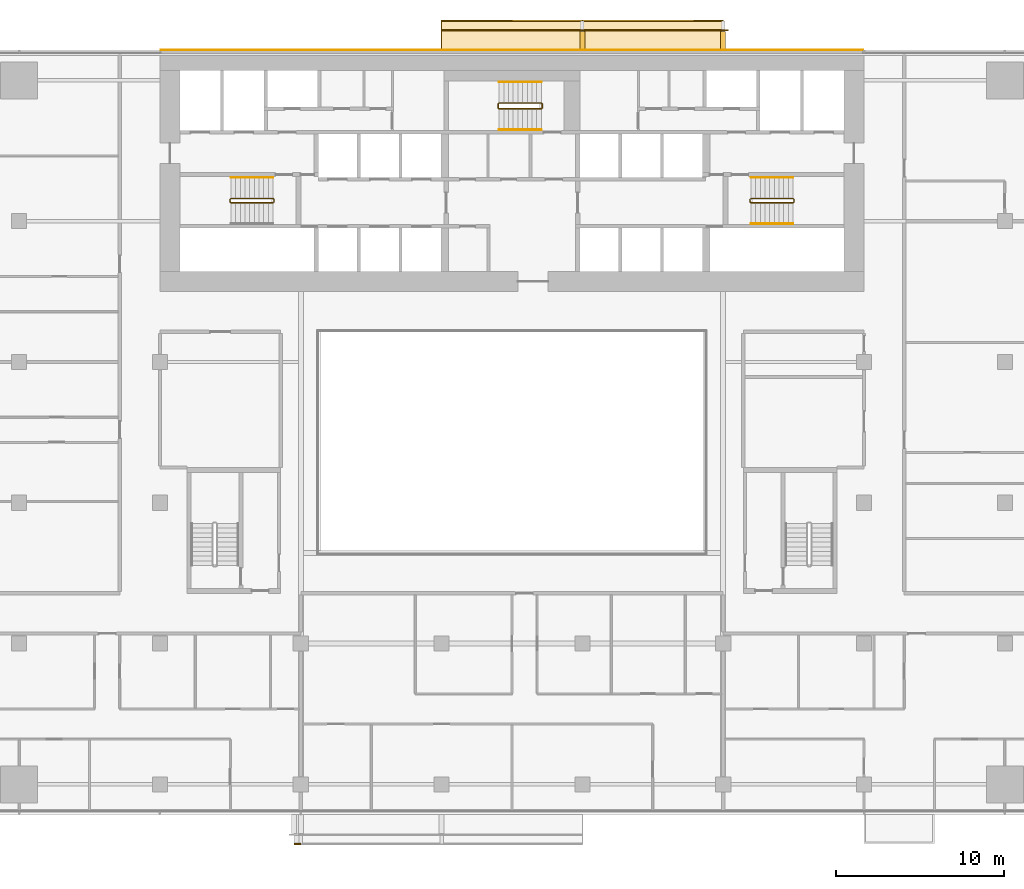
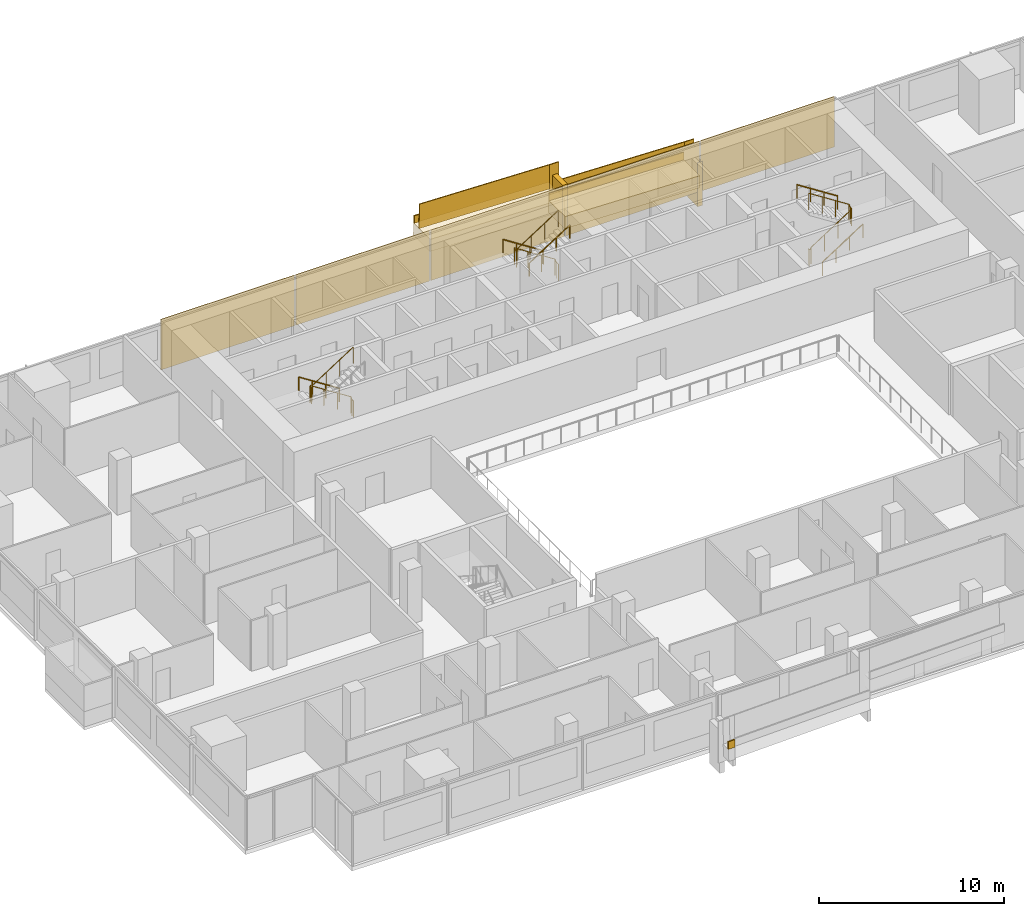
# One storey, part 26 of 26: 12 coverings, 12 railings.
"""IFC4 building model written with IfcOpenShell, lengths in metres."""

from ifc_helpers import new_model, si_unit, direction, frame, origin, origin_2d, place, context, subcontext, project, spatial, polyline, rectangle, circle, outline, extrude, material, layer, layer_set, type_object, element, save


model = new_model("IFC4")

# Units and contexts
model_context = context("Model", 3, precision=1e-05, world=origin(), true_north=direction((0.0, 1.0)))
body_context = subcontext(model_context, "Body", "Model", "MODEL_VIEW")
ifc_project = project(units=[si_unit("LENGTHUNIT", "METRE"), si_unit("AREAUNIT", "SQUARE_METRE"), si_unit("VOLUMEUNIT", "CUBIC_METRE"), si_unit("PLANEANGLEUNIT", "RADIAN"), si_unit("MASSUNIT", "GRAM", prefix="KILO")], contexts=[model_context])

# Site, building, storey
site_placement = place(None, origin())
site = spatial("IfcSite", under=ifc_project, at=site_placement, CompositionType="ELEMENT")
building_placement = place(site_placement, origin())
building = spatial("IfcBuilding", under=site, at=building_placement, Name="Saffron Gate Tower", CompositionType="ELEMENT")
storey_placement = place(building_placement, frame((0.0, 0.0, 62.39990234375)))
storey = spatial("IfcBuildingStorey", under=building, at=storey_placement, Name="L14", CompositionType="ELEMENT", Elevation=62.39990234375)

# Coverings
ifc_material_1 = material(Name="Ceramic-printed bronze insulated panel")
ifc_layer_1 = layer(ifc_material_1, 0.0400390625)
ifc_layer_set_1 = layer_set([ifc_layer_1], Name="CLD1 ceramic-printed cladding panel 40")
covering_type_1 = type_object("IfcCoveringType", Name="CLD1 ceramic-printed cladding panel 40", PredefinedType="CLADDING", material=ifc_layer_set_1)
covering_1_placement = place(storey_placement, origin())
element("IfcCovering", 1, at=covering_1_placement, inside=storey, type_object=covering_type_1, Name="CLADDING ceramic-printed panel", PredefinedType="CLADDING", context=body_context, shape_type="SweptSolid", body=[
    extrude(outline(polyline([(108.56494140625, 75.639892578125), (100.235107421875, 75.639892578125), (100.235107421875, 75.60009765625), (108.56494140625, 75.60009765625), (108.56494140625, 75.639892578125)])), origin(), (0.0, 0.0, 1.0), 3.320068359375),
])
covering_2_placement = place(storey_placement, origin())
element("IfcCovering", 2, at=covering_2_placement, inside=storey, type_object=covering_type_1, Name="CLADDING ceramic-printed panel", PredefinedType="CLADDING", context=body_context, shape_type="SweptSolid", body=[
    extrude(outline(polyline([(100.1650390625, 75.639892578125), (91.8349609375, 75.639892578125), (91.8349609375, 75.60009765625), (100.1650390625, 75.60009765625), (100.1650390625, 75.639892578125)])), origin(), (0.0, 0.0, 1.0), 3.320068359375),
])
covering_3_placement = place(storey_placement, origin())
element("IfcCovering", 3, at=covering_3_placement, inside=storey, type_object=covering_type_1, Name="CLADDING ceramic-printed panel", PredefinedType="CLADDING", context=body_context, shape_type="SweptSolid", body=[
    extrude(outline(polyline([(91.764892578125, 75.639892578125), (83.43505859375, 75.639892578125), (83.43505859375, 75.60009765625), (91.764892578125, 75.60009765625), (91.764892578125, 75.639892578125)])), origin(), (0.0, 0.0, 1.0), 3.320068359375),
])
covering_4_placement = place(storey_placement, origin())
element("IfcCovering", 4, at=covering_4_placement, inside=storey, type_object=covering_type_1, Name="CLADDING ceramic-printed panel", PredefinedType="CLADDING", context=body_context, shape_type="SweptSolid", body=[
    extrude(outline(polyline([(83.364990234375, 75.639892578125), (75.034912109375, 75.639892578125), (75.034912109375, 75.60009765625), (83.364990234375, 75.60009765625), (83.364990234375, 75.639892578125)])), origin(), (0.0, 0.0, 1.0), 3.320068359375),
])
covering_5_placement = place(storey_placement, origin())
element("IfcCovering", 5, at=covering_5_placement, inside=storey, type_object=covering_type_1, Name="CLADDING ceramic-printed panel", PredefinedType="CLADDING", context=body_context, shape_type="SweptSolid", body=[
    extrude(outline(polyline([(74.965087890625, 75.639892578125), (66.635009765625, 75.639892578125), (66.635009765625, 75.60009765625), (74.965087890625, 75.60009765625), (74.965087890625, 75.639892578125)])), origin(), (0.0, 0.0, 1.0), 3.320068359375),
])

# Railings
ifc_material_2 = material(Name="Stainless steel and laminated glass", Category="steel")
railing_type_1 = type_object("IfcRailingType", Name="CR1 Stair guard 1100", PredefinedType="GUARDRAIL", material=ifc_material_2)
railing_1_placement = place(storey_placement, frame((73.39990234375, 66.550048828125, 0.0)))
element("IfcRailing", 6, at=railing_1_placement, inside=storey, type_object=railing_type_1, Name="L14 ST-A stair guard 1", PredefinedType="GUARDRAIL", context=body_context, shape_type="SweptSolid", body=[
    extrude(circle(Radius=0.02392578125, at=origin_2d()), frame((0.0, 0.0, 1.076171875), z_axis=(0.0, 1.0, 0.0), x_axis=(-1.0, 0.0, 0.0)), (0.0, 0.0, 1.0), 0.14990234375),
    extrude(circle(Radius=0.02392578125, at=origin_2d()), frame((0.0, 0.14990234375, 1.076171875), z_axis=(-0.257366384619, 0.258627984543, 0.931060744355), x_axis=(-0.708833529934, -0.705375805398, 0.0)), (0.0, 0.0, 1.0), 0.193603515625),
    extrude(circle(Radius=0.02392578125, at=origin_2d()), frame((-0.0498046875, 0.199951171875, 1.25634765625), z_axis=(-0.841199657755, 0.0, 0.540724639528), x_axis=(0.0, -1.0, 0.0)), (0.0, 0.0, 1.0), 2.995849609375),
    extrude(circle(Radius=0.02392578125, at=origin_2d()), frame((-2.56982421875, 0.199951171875, 2.8759765625), z_axis=(-0.707106781187, -0.707106781187, 0.0), x_axis=(0.707106781187, -0.707106781187, 0.0)), (0.0, 0.0, 1.0), 0.07080078125),
    extrude(circle(Radius=0.02392578125, at=origin_2d()), frame((-2.619873046875, 0.14990234375, 2.8759765625), z_axis=(0.0, -1.0, 0.0), x_axis=(1.0, 0.0, 0.0)), (0.0, 0.0, 1.0), 0.14990234375),
    extrude(circle(Radius=0.02392578125, at=origin_2d()), frame((-2.619873046875, 0.0, 2.8759765625), z_axis=(0.258847668887, -0.258847668887, 0.930588936439), x_axis=(0.707106781187, 0.707106781187, 0.0)), (0.0, 0.0, 1.0), 0.193359375),
    extrude(circle(Radius=0.02392578125, at=origin_2d()), frame((-2.56982421875, -0.050048828125, 3.05615234375), z_axis=(0.841162588446, 0.0, 0.540782303519), x_axis=(0.0, 1.0, 0.0)), (0.0, 0.0, 1.0), 2.995849609375),
    extrude(circle(Radius=0.02099609375, at=origin_2d()), origin(), (0.0, 0.0, 1.0), 1.052001953125),
    extrude(circle(Radius=0.02099609375, at=origin_2d()), frame((0.0, 0.14990234375, 0.0)), (0.0, 0.0, 1.0), 1.052001953125),
    extrude(circle(Radius=0.02099609375, at=origin_2d()), frame((-0.0498046875, 0.199951171875, 0.18017578125)), (0.0, 0.0, 1.0), 1.052001953125),
    extrude(circle(Radius=0.02099609375, at=origin_2d()), frame((-0.889892578125, 0.199951171875, 0.72021484375)), (0.0, 0.0, 1.0), 1.052001953125),
    extrude(circle(Radius=0.02099609375, at=origin_2d()), frame((-1.729736328125, 0.199951171875, 1.260009765625)), (0.0, 0.0, 1.0), 1.052001953125),
    extrude(circle(Radius=0.02099609375, at=origin_2d()), frame((-2.56982421875, 0.199951171875, 1.800048828125)), (0.0, 0.0, 1.0), 1.052001953125),
    extrude(circle(Radius=0.02099609375, at=origin_2d()), frame((-2.619873046875, 0.14990234375, 1.800048828125)), (0.0, 0.0, 1.0), 1.052001953125),
    extrude(circle(Radius=0.02099609375, at=origin_2d()), frame((-2.619873046875, 0.0, 1.800048828125)), (0.0, 0.0, 1.0), 1.052001953125),
    extrude(circle(Radius=0.02099609375, at=origin_2d()), frame((-2.56982421875, -0.050048828125, 1.97998046875)), (0.0, 0.0, 1.0), 1.052001953125),
    extrude(circle(Radius=0.02099609375, at=origin_2d()), frame((-1.729736328125, -0.050048828125, 2.52001953125)), (0.0, 0.0, 1.0), 1.052001953125),
    extrude(circle(Radius=0.02099609375, at=origin_2d()), frame((-0.889892578125, -0.050048828125, 3.06005859375)), (0.0, 0.0, 1.0), 1.052001953125),
    extrude(circle(Radius=0.02099609375, at=origin_2d()), frame((-0.0498046875, -0.050048828125, 3.60009765625)), (0.0, 0.0, 1.0), 1.052001953125),
])
railing_2_placement = place(storey_placement, frame((101.800048828125, 66.699951171875, 0.0)))
element("IfcRailing", 7, at=railing_2_placement, inside=storey, type_object=railing_type_1, Name="L14 ST-B stair guard 1", PredefinedType="GUARDRAIL", context=body_context, shape_type="SweptSolid", body=[
    extrude(circle(Radius=0.02392578125, at=origin_2d()), frame((0.0, 0.0, 1.076171875), z_axis=(0.0, -1.0, 0.0), x_axis=(1.0, 0.0, 0.0)), (0.0, 0.0, 1.0), 0.14990234375),
    extrude(circle(Radius=0.02392578125, at=origin_2d()), frame((0.0, -0.14990234375, 1.076171875), z_axis=(0.258543844998, -0.258543844998, 0.930757841991), x_axis=(0.707106781187, 0.707106781187, 0.0)), (0.0, 0.0, 1.0), 0.193603515625),
    extrude(circle(Radius=0.02392578125, at=origin_2d()), frame((0.050048828125, -0.199951171875, 1.25634765625), z_axis=(0.841199657755, 0.0, 0.540724639528), x_axis=(0.0, 1.0, 0.0)), (0.0, 0.0, 1.0), 2.995849609375),
    extrude(circle(Radius=0.02392578125, at=origin_2d()), frame((2.570068359375, -0.199951171875, 2.8759765625), z_axis=(0.705375805398, 0.708833529934, 0.0), x_axis=(-0.708833529934, 0.705375805398, 0.0)), (0.0, 0.0, 1.0), 0.070556640625),
    extrude(circle(Radius=0.02392578125, at=origin_2d()), frame((2.619873046875, -0.14990234375, 2.8759765625), z_axis=(0.0, 1.0, 0.0), x_axis=(-1.0, 0.0, 0.0)), (0.0, 0.0, 1.0), 0.14990234375),
    extrude(circle(Radius=0.02392578125, at=origin_2d()), frame((2.619873046875, 0.0, 2.8759765625), z_axis=(-0.257669022063, 0.258932105505, 0.930892496375), x_axis=(-0.708833529934, -0.705375805398, 0.0)), (0.0, 0.0, 1.0), 0.193359375),
    extrude(circle(Radius=0.02392578125, at=origin_2d()), frame((2.570068359375, 0.050048828125, 3.05615234375), z_axis=(-0.841162588446, 0.0, 0.540782303519), x_axis=(0.0, -1.0, 0.0)), (0.0, 0.0, 1.0), 2.995849609375),
    extrude(circle(Radius=0.02099609375, at=origin_2d()), origin(), (0.0, 0.0, 1.0), 1.052001953125),
    extrude(circle(Radius=0.02099609375, at=origin_2d()), frame((0.0, -0.14990234375, 0.0)), (0.0, 0.0, 1.0), 1.052001953125),
    extrude(circle(Radius=0.02099609375, at=origin_2d()), frame((0.050048828125, -0.199951171875, 0.18017578125)), (0.0, 0.0, 1.0), 1.052001953125),
    extrude(circle(Radius=0.02099609375, at=origin_2d()), frame((0.89013671875, -0.199951171875, 0.72021484375)), (0.0, 0.0, 1.0), 1.052001953125),
    extrude(circle(Radius=0.02099609375, at=origin_2d()), frame((1.72998046875, -0.199951171875, 1.260009765625)), (0.0, 0.0, 1.0), 1.052001953125),
    extrude(circle(Radius=0.02099609375, at=origin_2d()), frame((2.570068359375, -0.199951171875, 1.800048828125)), (0.0, 0.0, 1.0), 1.052001953125),
    extrude(circle(Radius=0.02099609375, at=origin_2d()), frame((2.619873046875, -0.14990234375, 1.800048828125)), (0.0, 0.0, 1.0), 1.052001953125),
    extrude(circle(Radius=0.02099609375, at=origin_2d()), frame((2.619873046875, 0.0, 1.800048828125)), (0.0, 0.0, 1.0), 1.052001953125),
    extrude(circle(Radius=0.02099609375, at=origin_2d()), frame((2.570068359375, 0.050048828125, 1.97998046875)), (0.0, 0.0, 1.0), 1.052001953125),
    extrude(circle(Radius=0.02099609375, at=origin_2d()), frame((1.72998046875, 0.050048828125, 2.52001953125)), (0.0, 0.0, 1.0), 1.052001953125),
    extrude(circle(Radius=0.02099609375, at=origin_2d()), frame((0.89013671875, 0.050048828125, 3.06005859375)), (0.0, 0.0, 1.0), 1.052001953125),
    extrude(circle(Radius=0.02099609375, at=origin_2d()), frame((0.050048828125, 0.050048828125, 3.60009765625)), (0.0, 0.0, 1.0), 1.052001953125),
])
railing_3_placement = place(storey_placement, frame((89.39990234375, 72.14990234375, 0.0)))
element("IfcRailing", 8, at=railing_3_placement, inside=storey, type_object=railing_type_1, Name="L14 ST-C stair guard 1", PredefinedType="GUARDRAIL", context=body_context, shape_type="SweptSolid", body=[
    extrude(circle(Radius=0.02392578125, at=origin_2d()), frame((0.0, 0.0, 1.076171875), z_axis=(0.0, 1.0, 0.0), x_axis=(-1.0, 0.0, 0.0)), (0.0, 0.0, 1.0), 0.25),
    extrude(circle(Radius=0.02392578125, at=origin_2d()), frame((0.0, 0.25, 1.076171875), z_axis=(-0.257366384619, 0.258627984543, 0.931060744355), x_axis=(-0.708833529934, -0.705375805398, 0.0)), (0.0, 0.0, 1.0), 0.193603515625),
    extrude(circle(Radius=0.02392578125, at=origin_2d()), frame((-0.0498046875, 0.300048828125, 1.25634765625), z_axis=(-0.841199657755, 0.0, 0.540724639528), x_axis=(0.0, -1.0, 0.0)), (0.0, 0.0, 1.0), 2.995849609375),
    extrude(circle(Radius=0.02392578125, at=origin_2d()), frame((-2.56982421875, 0.300048828125, 2.8759765625), z_axis=(-0.707106781187, -0.707106781187, 0.0), x_axis=(0.707106781187, -0.707106781187, 0.0)), (0.0, 0.0, 1.0), 0.07080078125),
    extrude(circle(Radius=0.02392578125, at=origin_2d()), frame((-2.619873046875, 0.25, 2.8759765625), z_axis=(0.0, -1.0, 0.0), x_axis=(1.0, 0.0, 0.0)), (0.0, 0.0, 1.0), 0.25),
    extrude(circle(Radius=0.02392578125, at=origin_2d()), frame((-2.619873046875, 0.0, 2.8759765625), z_axis=(0.258932105505, -0.257669022063, 0.930892496375), x_axis=(0.705375805398, 0.708833529934, 0.0)), (0.0, 0.0, 1.0), 0.193359375),
    extrude(circle(Radius=0.02392578125, at=origin_2d()), frame((-2.56982421875, -0.0498046875, 3.05615234375), z_axis=(0.841162588446, 0.0, 0.540782303519), x_axis=(0.0, 1.0, 0.0)), (0.0, 0.0, 1.0), 2.995849609375),
    extrude(circle(Radius=0.02099609375, at=origin_2d()), origin(), (0.0, 0.0, 1.0), 1.052001953125),
    extrude(circle(Radius=0.02099609375, at=origin_2d()), frame((0.0, 0.25, 0.0)), (0.0, 0.0, 1.0), 1.052001953125),
    extrude(circle(Radius=0.02099609375, at=origin_2d()), frame((-0.0498046875, 0.300048828125, 0.18017578125)), (0.0, 0.0, 1.0), 1.052001953125),
    extrude(circle(Radius=0.02099609375, at=origin_2d()), frame((-0.889892578125, 0.300048828125, 0.72021484375)), (0.0, 0.0, 1.0), 1.052001953125),
    extrude(circle(Radius=0.02099609375, at=origin_2d()), frame((-1.729736328125, 0.300048828125, 1.260009765625)), (0.0, 0.0, 1.0), 1.052001953125),
    extrude(circle(Radius=0.02099609375, at=origin_2d()), frame((-2.56982421875, 0.300048828125, 1.800048828125)), (0.0, 0.0, 1.0), 1.052001953125),
    extrude(circle(Radius=0.02099609375, at=origin_2d()), frame((-2.619873046875, 0.25, 1.800048828125)), (0.0, 0.0, 1.0), 1.052001953125),
    extrude(circle(Radius=0.02099609375, at=origin_2d()), frame((-2.619873046875, 0.0, 1.800048828125)), (0.0, 0.0, 1.0), 1.052001953125),
    extrude(circle(Radius=0.02099609375, at=origin_2d()), frame((-2.56982421875, -0.0498046875, 1.97998046875)), (0.0, 0.0, 1.0), 1.052001953125),
    extrude(circle(Radius=0.02099609375, at=origin_2d()), frame((-1.729736328125, -0.0498046875, 2.52001953125)), (0.0, 0.0, 1.0), 1.052001953125),
    extrude(circle(Radius=0.02099609375, at=origin_2d()), frame((-0.889892578125, -0.0498046875, 3.06005859375)), (0.0, 0.0, 1.0), 1.052001953125),
    extrude(circle(Radius=0.02099609375, at=origin_2d()), frame((-0.0498046875, -0.0498046875, 3.60009765625)), (0.0, 0.0, 1.0), 1.052001953125),
])
ifc_material_3 = material(Name="Stainless steel", Category="steel")
railing_type_2 = type_object("IfcRailingType", Name="CR2 Stair handrail 900", PredefinedType="HANDRAIL", material=ifc_material_3)
railing_4_placement = place(storey_placement, frame((73.35009765625, 68.0, 0.18017578125)))
element("IfcRailing", 9, at=railing_4_placement, inside=storey, type_object=railing_type_2, Name="L14 ST-A stair handrail 1", PredefinedType="HANDRAIL", context=body_context, shape_type="SweptSolid", body=[
    extrude(circle(Radius=0.02392578125, at=origin_2d()), frame((0.0, 0.0, 0.8759765625), z_axis=(-0.841199657755, 0.0, 0.540724639528), x_axis=(0.0, -1.0, 0.0)), (0.0, 0.0, 1.0), 2.995849609375),
    extrude(circle(Radius=0.02099609375, at=origin_2d()), origin(), (0.0, 0.0, 1.0), 0.851806640625),
    extrude(circle(Radius=0.02099609375, at=origin_2d()), frame((-0.840087890625, 0.0, 0.5400390625)), (0.0, 0.0, 1.0), 0.851806640625),
    extrude(circle(Radius=0.02099609375, at=origin_2d()), frame((-1.679931640625, 0.0, 1.079833984375)), (0.0, 0.0, 1.0), 0.851806640625),
    extrude(circle(Radius=0.02099609375, at=origin_2d()), frame((-2.52001953125, 0.0, 1.619873046875)), (0.0, 0.0, 1.0), 0.851806640625),
])
railing_5_placement = place(storey_placement, frame((101.85009765625, 65.25, 0.18017578125)))
element("IfcRailing", 10, at=railing_5_placement, inside=storey, type_object=railing_type_2, Name="L14 ST-B stair handrail 1", PredefinedType="HANDRAIL", context=body_context, shape_type="SweptSolid", body=[
    extrude(circle(Radius=0.02392578125, at=origin_2d()), frame((0.0, 0.0, 0.8759765625), z_axis=(0.841199657755, 0.0, 0.540724639528), x_axis=(0.0, 1.0, 0.0)), (0.0, 0.0, 1.0), 2.995849609375),
    extrude(circle(Radius=0.02099609375, at=origin_2d()), origin(), (0.0, 0.0, 1.0), 0.851806640625),
    extrude(circle(Radius=0.02099609375, at=origin_2d()), frame((0.840087890625, 0.0, 0.5400390625)), (0.0, 0.0, 1.0), 0.851806640625),
    extrude(circle(Radius=0.02099609375, at=origin_2d()), frame((1.679931640625, 0.0, 1.079833984375)), (0.0, 0.0, 1.0), 0.851806640625),
    extrude(circle(Radius=0.02099609375, at=origin_2d()), frame((2.52001953125, 0.0, 1.619873046875)), (0.0, 0.0, 1.0), 0.851806640625),
])
railing_6_placement = place(storey_placement, frame((104.3701171875, 68.0, 1.97998046875)))
element("IfcRailing", 11, at=railing_6_placement, inside=storey, type_object=railing_type_2, Name="L14 ST-B stair handrail 2", PredefinedType="HANDRAIL", context=body_context, shape_type="SweptSolid", body=[
    extrude(circle(Radius=0.02392578125, at=origin_2d()), frame((0.0, 0.0, 0.8759765625), z_axis=(-0.841162588446, 0.0, 0.540782303519), x_axis=(0.0, -1.0, 0.0)), (0.0, 0.0, 1.0), 2.995849609375),
    extrude(circle(Radius=0.02099609375, at=origin_2d()), origin(), (0.0, 0.0, 1.0), 0.851806640625),
    extrude(circle(Radius=0.02099609375, at=origin_2d()), frame((-0.840087890625, 0.0, 0.5400390625)), (0.0, 0.0, 1.0), 0.851806640625),
    extrude(circle(Radius=0.02099609375, at=origin_2d()), frame((-1.679931640625, 0.0, 1.080078125)), (0.0, 0.0, 1.0), 0.851806640625),
    extrude(circle(Radius=0.02099609375, at=origin_2d()), frame((-2.52001953125, 0.0, 1.6201171875)), (0.0, 0.0, 1.0), 0.851806640625),
])
railing_7_placement = place(storey_placement, frame((89.35009765625, 73.699951171875, 0.18017578125)))
element("IfcRailing", 12, at=railing_7_placement, inside=storey, type_object=railing_type_2, Name="L14 ST-C stair handrail 1", PredefinedType="HANDRAIL", context=body_context, shape_type="SweptSolid", body=[
    extrude(circle(Radius=0.02392578125, at=origin_2d()), frame((0.0, 0.0, 0.8759765625), z_axis=(-0.841199657755, 0.0, 0.540724639528), x_axis=(0.0, -1.0, 0.0)), (0.0, 0.0, 1.0), 2.995849609375),
    extrude(circle(Radius=0.02099609375, at=origin_2d()), origin(), (0.0, 0.0, 1.0), 0.851806640625),
    extrude(circle(Radius=0.02099609375, at=origin_2d()), frame((-0.840087890625, 0.0, 0.5400390625)), (0.0, 0.0, 1.0), 0.851806640625),
    extrude(circle(Radius=0.02099609375, at=origin_2d()), frame((-1.679931640625, 0.0, 1.079833984375)), (0.0, 0.0, 1.0), 0.851806640625),
    extrude(circle(Radius=0.02099609375, at=origin_2d()), frame((-2.52001953125, 0.0, 1.619873046875)), (0.0, 0.0, 1.0), 0.851806640625),
])
railing_8_placement = place(storey_placement, frame((86.830078125, 70.85009765625, 1.97998046875)))
element("IfcRailing", 13, at=railing_8_placement, inside=storey, type_object=railing_type_2, Name="L14 ST-C stair handrail 2", PredefinedType="HANDRAIL", context=body_context, shape_type="SweptSolid", body=[
    extrude(circle(Radius=0.02392578125, at=origin_2d()), frame((0.0, 0.0, 0.8759765625), z_axis=(0.841162588446, 0.0, 0.540782303519), x_axis=(0.0, 1.0, 0.0)), (0.0, 0.0, 1.0), 2.995849609375),
    extrude(circle(Radius=0.02099609375, at=origin_2d()), origin(), (0.0, 0.0, 1.0), 0.851806640625),
    extrude(circle(Radius=0.02099609375, at=origin_2d()), frame((0.840087890625, 0.0, 0.5400390625)), (0.0, 0.0, 1.0), 0.851806640625),
    extrude(circle(Radius=0.02099609375, at=origin_2d()), frame((1.679931640625, 0.0, 1.080078125)), (0.0, 0.0, 1.0), 0.851806640625),
    extrude(circle(Radius=0.02099609375, at=origin_2d()), frame((2.52001953125, 0.0, 1.6201171875)), (0.0, 0.0, 1.0), 0.851806640625),
])

# Coverings
ifc_material_4 = material(Name="Timber, thermally modified ash", Category="wood")
ifc_layer_2 = layer(ifc_material_4, 0.800048828125)
ifc_layer_set_2 = layer_set([ifc_layer_2], Name="LD1 ledge timber")
covering_type_2 = type_object("IfcCoveringType", Name="LD1 ledge timber", PredefinedType="CLADDING", material=ifc_layer_set_2)
covering_6_placement = place(storey_placement, frame((100.199951171875, 75.60009765625, 1.0439453125), z_axis=(0.028791175352, 0.0, 0.999585448184), x_axis=(-0.999585448184, 0.0, 0.028791175352)))
element("IfcCovering", 14, at=covering_6_placement, inside=storey, type_object=covering_type_2, Name="LEDGE", PredefinedType="CLADDING", context=body_context, shape_type="SweptSolid", body=[
    extrude(outline(polyline([(0.0, 0.0), (8.403385982666892, 0.0), (8.403385982666892, -1.7998046875), (0.0, -1.7998046875), (0.0, 0.0)])), origin(), (0.0, 0.0, -1.0), 0.800048828125),
])
covering_7_placement = place(storey_placement, frame((91.800048828125, 75.60009765625, 2.486328125), z_axis=(0.028790339263, 0.0, 0.999585472266), x_axis=(-0.999585472266, 0.0, 0.028790339263)))
element("IfcCovering", 15, at=covering_7_placement, inside=storey, type_object=covering_type_2, Name="LEDGE", PredefinedType="CLADDING", context=body_context, shape_type="SweptSolid", body=[
    extrude(outline(polyline([(0.0, 0.0), (8.403630022085892, 0.0), (8.403630022085892, -1.7998046875), (0.0, -1.7998046875), (0.0, 0.0)])), origin(), (0.0, 0.0, -1.0), 0.800048828125),
])
ifc_layer_3 = layer(ifc_material_4, 0.080078125)
ifc_layer_set_3 = layer_set([ifc_layer_3], Name="LD2 ledge planter trough")
covering_type_3 = type_object("IfcCoveringType", Name="LD2 ledge planter trough", PredefinedType="CLADDING", material=ifc_layer_set_3)
covering_8_placement = place(storey_placement, frame((100.199951171875, 77.39990234375, 1.0439453125), z_axis=(0.0, 1.0, 0.0), x_axis=(-0.999585448184, 0.0, 0.028791175352)))
element("IfcCovering", 16, at=covering_8_placement, inside=storey, type_object=covering_type_3, Name="LEDGE planter trough", PredefinedType="CLADDING", context=body_context, shape_type="SweptSolid", body=[
    extrude(outline(polyline([(0.0, 0.0), (8.403385982666892, 0.0), (8.417781570342743, 0.49979272409216496), (0.014395587675851172, 0.4997927240921649), (0.0, 0.0)])), origin(), (0.0, 0.0, -1.0), 0.080078125),
])
covering_9_placement = place(storey_placement, frame((91.800048828125, 77.39990234375, 2.486328125), z_axis=(0.0, 1.0, 0.0), x_axis=(-0.999585472266, 0.0, 0.028790339263)))
element("IfcCovering", 17, at=covering_9_placement, inside=storey, type_object=covering_type_3, Name="LEDGE planter trough", PredefinedType="CLADDING", context=body_context, shape_type="SweptSolid", body=[
    extrude(outline(polyline([(0.0, 0.0), (8.403630022085892, 0.0), (8.418025191717298, 0.4997927361329725), (0.014395169631405694, 0.4997927361329725), (0.0, 0.0)])), origin(), (0.0, 0.0, -1.0), 0.080078125),
])
covering_10_placement = place(storey_placement, frame((74.60009765625, 28.199951171875, 0.975341796875), z_axis=(0.0, -1.0, 0.0), x_axis=(0.999588594726, 0.0, 0.028681724025)))
element("IfcCovering", 18, at=covering_10_placement, inside=storey, type_object=covering_type_3, Name="LEDGE planter trough", PredefinedType="CLADDING", context=body_context, shape_type="SweptSolid", body=[
    extrude(outline(polyline([(0.0, 0.0), (0.40006693339621563, 0.0), (0.4144077954084678, 0.4997942973631708), (0.014340862012252152, 0.49979429736317077), (0.0, 0.0)])), origin(), (0.0, 0.0, -1.0), 0.080078125),
])
ifc_layer_4 = layer(ifc_material_4, 0.300048828125)
ifc_layer_set_4 = layer_set([ifc_layer_4], Name="LD3 ledge riser fin")
covering_type_4 = type_object("IfcCoveringType", Name="LD3 ledge riser fin", PredefinedType="CLADDING", material=ifc_layer_set_4)
for number, where, z_axis, x_axis, name in (
    (19, (100.199951171875, 76.159912109375, -0.956298828125), (0.0, 0.0, 1.0), (-1.0, 0.0, 0.0), "LEDGE riser fin"),
    (20, (91.800048828125, 76.159912109375, 0.486083984375), (0.0, 0.0, 1.0), (-1.0, 0.0, 0.0), "LEDGE riser fin"),
):
    element("IfcCovering", number, at=place(storey_placement, frame(where, z_axis=z_axis, x_axis=x_axis)), inside=storey, type_object=covering_type_4, Name=name, PredefinedType="CLADDING", context=body_context, shape_type="SweptSolid", body=[
        extrude(rectangle(XDim=0.300048828125, YDim=1.1201171875, at=origin_2d()), origin(), (0.0, 0.0, 1.0), 2.900390625),
    ])

# Railings
railing_type_3 = type_object("IfcRailingType", Name="LG1 ledge balustrade", PredefinedType="BALUSTRADE", material=ifc_material_4)
railing_9_placement = place(storey_placement, frame((100.199951171875, 76.800048828125, 1.0439453125)))
element("IfcRailing", 21, at=railing_9_placement, inside=storey, type_object=railing_type_3, Name="LEDGE BALUSTRADE", PredefinedType="BALUSTRADE", context=body_context, shape_type="SweptSolid", body=[
    extrude(rectangle(XDim=0.06005859375, YDim=1.60009765625, at=origin_2d()), frame((0.0, 0.0, 0.800048828125), z_axis=(-0.999585448184, 0.0, 0.028791175352), x_axis=(0.0, -1.0, 0.0)), (0.0, 0.0, 1.0), 8.4033203125),
])
railing_10_placement = place(storey_placement, frame((100.5, 76.800048828125, -0.15625)))
element("IfcRailing", 22, at=railing_10_placement, inside=storey, type_object=railing_type_3, Name="LEDGE BALUSTRADE", PredefinedType="BALUSTRADE", context=body_context, shape_type="SweptSolid", body=[
    extrude(rectangle(XDim=0.06005859375, YDim=2.80029296875, at=origin_2d()), frame((0.0, 0.0, 1.400146484375), z_axis=(-1.0, 0.0, 0.0), x_axis=(0.0, -1.0, 0.0)), (0.0, 0.0, 1.0), 0.60009765625),
])
railing_11_placement = place(storey_placement, frame((91.800048828125, 76.800048828125, 2.486328125)))
element("IfcRailing", 23, at=railing_11_placement, inside=storey, type_object=railing_type_3, Name="LEDGE BALUSTRADE", PredefinedType="BALUSTRADE", context=body_context, shape_type="SweptSolid", body=[
    extrude(rectangle(XDim=0.06005859375, YDim=1.60009765625, at=origin_2d()), frame((0.0, 0.0, 0.800048828125), z_axis=(-0.999585472266, 0.0, 0.028790339263), x_axis=(0.0, -1.0, 0.0)), (0.0, 0.0, 1.0), 8.403564453125),
])
railing_12_placement = place(storey_placement, frame((92.10009765625, 76.800048828125, 1.285888671875)))
element("IfcRailing", 24, at=railing_12_placement, inside=storey, type_object=railing_type_3, Name="LEDGE BALUSTRADE", PredefinedType="BALUSTRADE", context=body_context, shape_type="SweptSolid", body=[
    extrude(rectangle(XDim=0.06005859375, YDim=2.80029296875, at=origin_2d()), frame((0.0, 0.0, 1.400146484375), z_axis=(-1.0, 0.0, 0.0), x_axis=(0.0, -1.0, 0.0)), (0.0, 0.0, 1.0), 0.60009765625),
])

save(model, "model.ifc")
